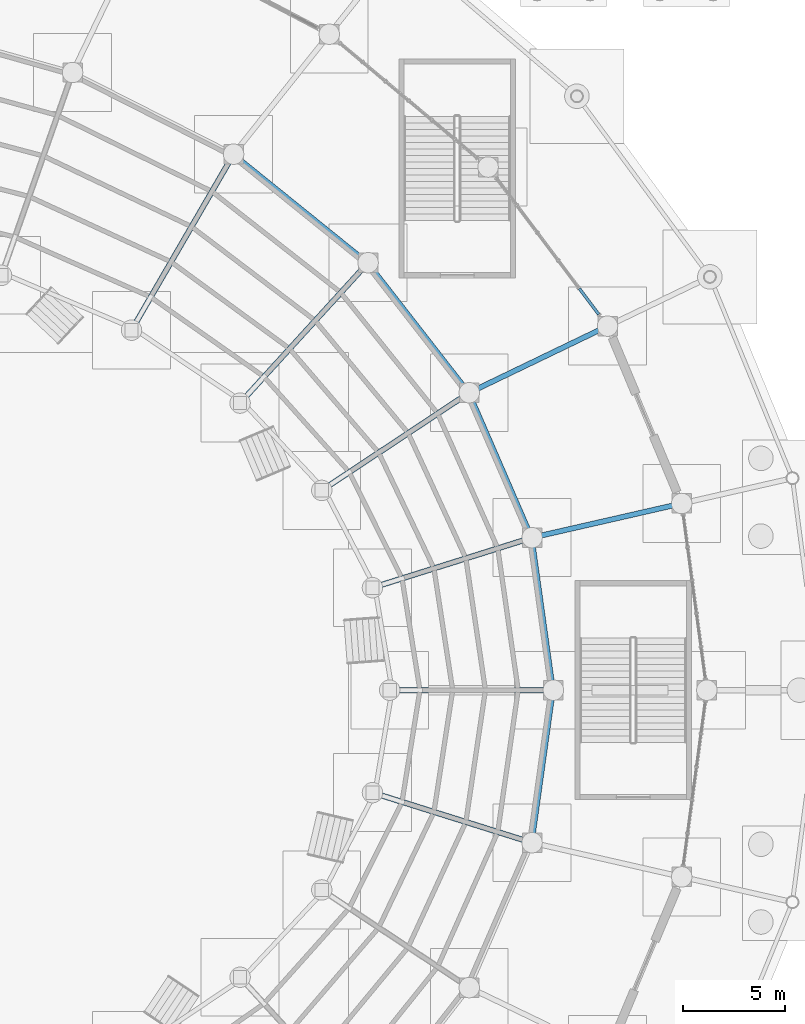
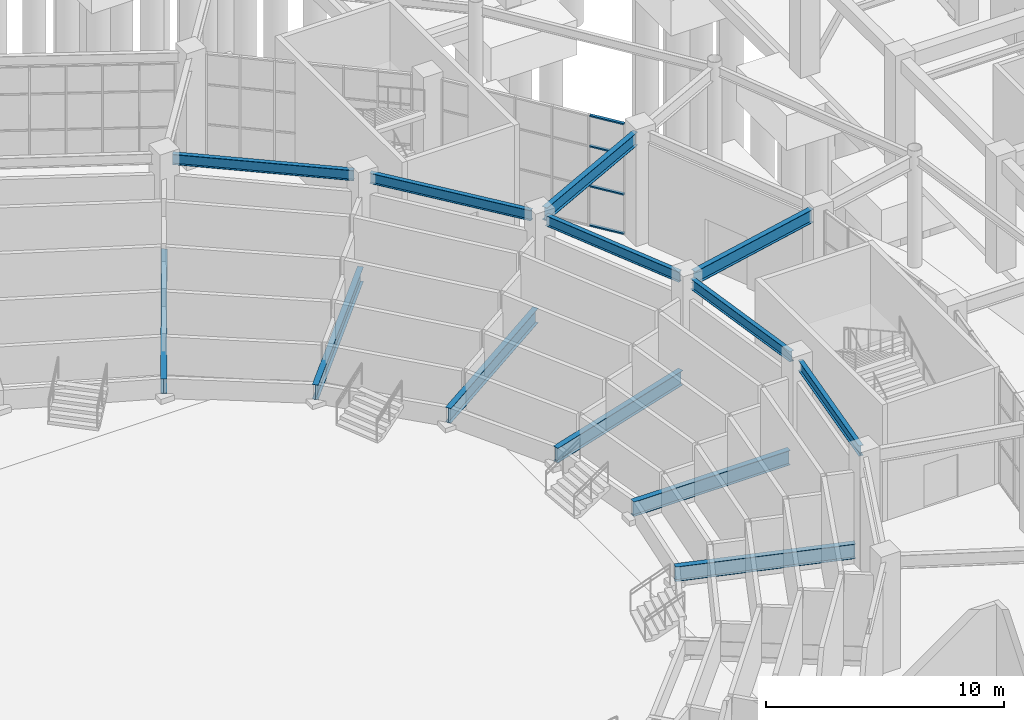
# One storey, part 45 of 121: 13 beams, 4 members, 1 element without a shape of its own.
"""IFC4 building model written with IfcOpenShell, lengths in metres."""

from ifc_helpers import new_model, si_unit, direction, frame, origin, origin_2d, place, context, subcontext, project, spatial, rectangle, i_section, extrude, material, material_profile, profile_set, type_object, element, aggregate, save


model = new_model("IFC4")

# Units and contexts
model_context = context("Model", 3, precision=1e-05, world=origin(), true_north=direction((0.0, 1.0)))
body_context = subcontext(model_context, "Body", "Model", "MODEL_VIEW")
ifc_project = project(units=[si_unit("LENGTHUNIT", "METRE"), si_unit("AREAUNIT", "SQUARE_METRE"), si_unit("VOLUMEUNIT", "CUBIC_METRE"), si_unit("PLANEANGLEUNIT", "RADIAN"), si_unit("MASSUNIT", "GRAM", prefix="KILO")], contexts=[model_context])

# Site, building, storey
site_placement = place(None, origin())
site = spatial("IfcSite", under=ifc_project, at=site_placement, CompositionType="ELEMENT")
building_placement = place(site_placement, origin())
building = spatial("IfcBuilding", under=site, at=building_placement, Name="Cuetzalor Civic Arena", CompositionType="ELEMENT")
storey_placement = place(building_placement, origin())
storey = spatial("IfcBuildingStorey", under=building, at=storey_placement, Name="L00", CompositionType="ELEMENT", Elevation=0.0)

# Curtain wall, members
ifc_material_1 = material(Name="Anodised dark bronze aluminium and low-E solar glass", Category="aluminium")
curtain_wall_type = type_object("IfcCurtainWallType", Name="UnitisedCW_8450x5700", PredefinedType="USERDEFINED", material=ifc_material_1)
curtain_wall_placement = place(storey_placement, origin())
curtain_wall = element("IfcCurtainWall", 1, at=curtain_wall_placement, inside=storey, type_object=curtain_wall_type, Name="Drum Ground Recessed Concourse Curtain Wall L00-002", ObjectType="UNITISED CURTAIN WALL", PredefinedType="USERDEFINED")
ifc_material_2 = material(Name="Anodised dark bronze aluminium", Category="aluminium")
ifc_material_profile_1 = material_profile(ifc_material_2, rectangle(XDim=0.139892578125, YDim=0.070068359375, at=origin_2d()), Name="ALU TRANSOM 70x140")
ifc_profile_set_1 = profile_set([ifc_material_profile_1], Name="Anodised dark bronze aluminium")
member_type = type_object("IfcMemberType", Name="CurtainWallTransom_65x140", PredefinedType="USERDEFINED", material=ifc_profile_set_1)
member_1_placement = place(storey_placement, frame((42.767822265625, 19.62646484375, 0.034912109375), z_axis=(0.600518840652, -0.799610606496, 0.0), x_axis=(0.799610606496, 0.600518840652, 0.0)))
member_1 = element("IfcMember", 2, at=member_1_placement, type_object=member_type, Name="CW-02 transom 5.1", ObjectType="TRANSOM", PredefinedType="USERDEFINED", context=body_context, shape_type="SweptSolid", body=[
    extrude(rectangle(XDim=0.139892578125, YDim=0.070068359375, at=origin_2d()), origin(), (0.0, 0.0, 1.0), 1.58056640625),
])
member_2_placement = place(storey_placement, frame((42.767822265625, 19.62646484375, 2.052001953125), z_axis=(0.600518840652, -0.799610606496, 0.0), x_axis=(0.799610606496, 0.600518840652, 0.0)))
member_2 = element("IfcMember", 3, at=member_2_placement, type_object=member_type, Name="CW-02 transom 5.2", ObjectType="TRANSOM", PredefinedType="USERDEFINED", context=body_context, shape_type="SweptSolid", body=[
    extrude(rectangle(XDim=0.139892578125, YDim=0.070068359375, at=origin_2d()), origin(), (0.0, 0.0, 1.0), 1.58056640625),
])
member_3_placement = place(storey_placement, frame((42.767822265625, 19.62646484375, 4.10400390625), z_axis=(0.600518840652, -0.799610606496, 0.0), x_axis=(0.799610606496, 0.600518840652, 0.0)))
member_3 = element("IfcMember", 4, at=member_3_placement, type_object=member_type, Name="CW-02 transom 5.3", ObjectType="TRANSOM", PredefinedType="USERDEFINED", context=body_context, shape_type="SweptSolid", body=[
    extrude(rectangle(XDim=0.139892578125, YDim=0.070068359375, at=origin_2d()), origin(), (0.0, 0.0, 1.0), 1.58056640625),
])
member_4_placement = place(storey_placement, frame((42.767822265625, 19.62646484375, 5.6650390625), z_axis=(0.600518840652, -0.799610606496, 0.0), x_axis=(0.799610606496, 0.600518840652, 0.0)))
member_4 = element("IfcMember", 5, at=member_4_placement, type_object=member_type, Name="CW-02 transom 5.4", ObjectType="TRANSOM", PredefinedType="USERDEFINED", context=body_context, shape_type="SweptSolid", body=[
    extrude(rectangle(XDim=0.139892578125, YDim=0.070068359375, at=origin_2d()), origin(), (0.0, 0.0, 1.0), 1.58056640625),
])
aggregate(curtain_wall, [member_1, member_2, member_3, member_4])

# Beams
ifc_material_3 = material(Name="Steel S355", Category="steel")
ifc_material_profile_2 = material_profile(ifc_material_3, i_section(OverallWidth=0.264892578125, OverallDepth=0.7529296875, WebThickness=0.01318359375, FlangeThickness=0.01708984375, at=origin_2d()), Name="W760x147")
ifc_profile_set_2 = profile_set([ifc_material_profile_2], Name="Steel S355")
beam_type_1 = type_object("IfcBeamType", Name="LowerBowlRakerBeam_W760", PredefinedType="USERDEFINED", material=ifc_profile_set_2)
beam_1_placement = place(storey_placement, frame((33.5, 0.0, 0.6435546875), z_axis=(1.0, 0.0, 0.0), x_axis=(0.0, 1.0, 0.0)))
element("IfcBeam", 6, at=beam_1_placement, inside=storey, type_object=beam_type_1, Name="Lower Bowl Raker Beam R01", ObjectType="RAKER", PredefinedType="USERDEFINED", context=body_context, shape_type="SweptSolid", body=[
    extrude(i_section(OverallWidth=0.264892578125, OverallDepth=0.7529296875, WebThickness=0.01318359375, FlangeThickness=0.01708984375, at=origin_2d()), origin(), (0.0, 0.0, 1.0), 7.60009765625),
])
beam_2_placement = place(storey_placement, frame((32.66015625, 5.006591796875, 0.6435546875), z_axis=(0.954109900706, 0.29945667028, 0.0), x_axis=(-0.29945667028, 0.954109900706, 0.0)))
element("IfcBeam", 7, at=beam_2_placement, inside=storey, type_object=beam_type_1, Name="Lower Bowl Raker Beam R02", ObjectType="RAKER", PredefinedType="USERDEFINED", context=body_context, shape_type="SweptSolid", body=[
    extrude(i_section(OverallWidth=0.264892578125, OverallDepth=0.7529296875, WebThickness=0.01318359375, FlangeThickness=0.01708984375, at=origin_2d()), origin(), (0.0, 0.0, 1.0), 7.7744140625),
])
beam_3_placement = place(storey_placement, frame((30.1826171875, 9.762451171875, 0.6435546875), z_axis=(0.833777450738, 0.552100681615, 0.0), x_axis=(-0.552100681615, 0.833777450738, 0.0)))
element("IfcBeam", 8, at=beam_3_placement, inside=storey, type_object=beam_type_1, Name="Lower Bowl Raker Beam R03", ObjectType="RAKER", PredefinedType="USERDEFINED", context=body_context, shape_type="SweptSolid", body=[
    extrude(i_section(OverallWidth=0.264892578125, OverallDepth=0.7529296875, WebThickness=0.01318359375, FlangeThickness=0.01708984375, at=origin_2d()), origin(), (0.0, 0.0, 1.0), 8.244384765625),
])
beam_4_placement = place(storey_placement, frame((26.19140625, 14.028564453125, 0.6435546875), z_axis=(0.673841701985, 0.738875741018, 0.0), x_axis=(-0.738875741018, 0.673841701985, 0.0)))
element("IfcBeam", 9, at=beam_4_placement, inside=storey, type_object=beam_type_1, Name="Lower Bowl Raker Beam R04", ObjectType="RAKER", PredefinedType="USERDEFINED", context=body_context, shape_type="SweptSolid", body=[
    extrude(i_section(OverallWidth=0.264892578125, OverallDepth=0.7529296875, WebThickness=0.01318359375, FlangeThickness=0.01708984375, at=origin_2d()), origin(), (0.0, 0.0, 1.0), 8.882080078125),
])
beam_5_placement = place(storey_placement, frame((20.886962890625, 17.59130859375, 0.6435546875), z_axis=(0.501694731914, 0.865044736398, 0.0), x_axis=(-0.865044736398, 0.501694731914, 0.0)))
element("IfcBeam", 10, at=beam_5_placement, inside=storey, type_object=beam_type_1, Name="Lower Bowl Raker Beam R05", ObjectType="RAKER", PredefinedType="USERDEFINED", context=body_context, shape_type="SweptSolid", body=[
    extrude(i_section(OverallWidth=0.264892578125, OverallDepth=0.7529296875, WebThickness=0.01318359375, FlangeThickness=0.01708984375, at=origin_2d()), origin(), (0.0, 0.0, 1.0), 9.5419921875),
])
beam_6_placement = place(storey_placement, frame((32.66015625, -5.006591796875, 0.6435546875), z_axis=(0.954109900706, -0.29945667028, 0.0), x_axis=(0.29945667028, 0.954109900706, 0.0)))
element("IfcBeam", 11, at=beam_6_placement, inside=storey, type_object=beam_type_1, Name="Lower Bowl Raker Beam R28", ObjectType="RAKER", PredefinedType="USERDEFINED", context=body_context, shape_type="SweptSolid", body=[
    extrude(i_section(OverallWidth=0.264892578125, OverallDepth=0.7529296875, WebThickness=0.01318359375, FlangeThickness=0.01708984375, at=origin_2d()), origin(), (0.0, 0.0, 1.0), 7.7744140625),
])
ifc_material_4 = material(Name="Steel S355", Category="steel")
ifc_material_profile_3 = material_profile(ifc_material_4, i_section(OverallWidth=0.208984375, OverallDepth=0.532958984375, WebThickness=0.01025390625, FlangeThickness=0.015625, at=origin_2d()), Name="W530x92")
ifc_profile_set_3 = profile_set([ifc_material_profile_3], Name="Steel S355")
beam_type_2 = type_object("IfcBeamType", Name="SteelCollarGirder_W530", PredefinedType="BEAM", material=ifc_profile_set_3)
beam_7_placement = place(storey_placement, frame((41.4501953125, 0.3564453125, 5.43359375), z_axis=(-0.138232032173, 0.990399871406, 0.0), x_axis=(-0.990399871406, -0.138232032173, 0.0)))
element("IfcBeam", 12, at=beam_7_placement, inside=storey, type_object=beam_type_2, Name="Bowl Inner Ring Girder L00-S01", PredefinedType="BEAM", context=body_context, shape_type="SweptSolid", body=[
    extrude(i_section(OverallWidth=0.208984375, OverallDepth=0.532958984375, WebThickness=0.01025390625, FlangeThickness=0.015625, at=origin_2d()), origin(), (0.0, 0.0, 1.0), 6.806884765625),
])
beam_8_placement = place(storey_placement, frame((40.31640625, 7.784912109375, 5.43359375), z_axis=(-0.39772689401, 0.917503851644, 0.0), x_axis=(-0.917503851644, -0.39772689401, 0.0)))
element("IfcBeam", 13, at=beam_8_placement, inside=storey, type_object=beam_type_2, Name="Bowl Inner Ring Girder L00-S02", PredefinedType="BEAM", context=body_context, shape_type="SweptSolid", body=[
    extrude(i_section(OverallWidth=0.208984375, OverallDepth=0.532958984375, WebThickness=0.01025390625, FlangeThickness=0.015625, at=origin_2d()), origin(), (0.0, 0.0, 1.0), 6.9970703125),
])
beam_9_placement = place(storey_placement, frame((37.169189453125, 14.819091796875, 5.43359375), z_axis=(-0.614261103096, 0.789102843249, 0.0), x_axis=(-0.789102843249, -0.614261103096, 0.0)))
element("IfcBeam", 14, at=beam_9_placement, inside=storey, type_object=beam_type_2, Name="Bowl Inner Ring Girder L00-S03", PredefinedType="BEAM", context=body_context, shape_type="SweptSolid", body=[
    extrude(i_section(OverallWidth=0.208984375, OverallDepth=0.532958984375, WebThickness=0.01025390625, FlangeThickness=0.015625, at=origin_2d()), origin(), (0.0, 0.0, 1.0), 7.329345703125),
])
beam_10_placement = place(storey_placement, frame((32.166015625, 21.113037109375, 5.43359375), z_axis=(-0.77812651983, 0.628107569719, 0.0), x_axis=(-0.628107569719, -0.77812651983, 0.0)))
element("IfcBeam", 15, at=beam_10_placement, inside=storey, type_object=beam_type_2, Name="Bowl Inner Ring Girder L00-S04", PredefinedType="BEAM", context=body_context, shape_type="SweptSolid", body=[
    extrude(i_section(OverallWidth=0.208984375, OverallDepth=0.532958984375, WebThickness=0.01025390625, FlangeThickness=0.015625, at=origin_2d()), origin(), (0.0, 0.0, 1.0), 7.725341796875),
])
beam_11_placement = place(storey_placement, frame((40.50927734375, -7.097900390625, 5.43359375), z_axis=(0.138232032173, 0.990399871406, 0.0), x_axis=(-0.990399871406, 0.138232032173, 0.0)))
element("IfcBeam", 16, at=beam_11_placement, inside=storey, type_object=beam_type_2, Name="Bowl Inner Ring Girder L00-S28", PredefinedType="BEAM", context=body_context, shape_type="SweptSolid", body=[
    extrude(i_section(OverallWidth=0.208984375, OverallDepth=0.532958984375, WebThickness=0.01025390625, FlangeThickness=0.015625, at=origin_2d()), origin(), (0.0, 0.0, 1.0), 6.806884765625),
])
ifc_material_5 = material(Name="Steel S355", Category="steel")
ifc_material_profile_4 = material_profile(ifc_material_5, i_section(OverallWidth=0.2529296875, OverallDepth=0.677978515625, WebThickness=0.01171875, FlangeThickness=0.016357421875, at=origin_2d()), Name="W690x125")
ifc_profile_set_4 = profile_set([ifc_material_profile_4], Name="Steel S355")
beam_type_3 = type_object("IfcBeamType", Name="SteelPrimaryGirder_W690", PredefinedType="BEAM", material=ifc_profile_set_4)
beam_12_placement = place(storey_placement, frame((40.810546875, 7.53466796875, 5.361083984375), z_axis=(0.974931535482, 0.222505058645, 0.0), x_axis=(-0.222505058645, 0.974931535482, 0.0)))
element("IfcBeam", 17, at=beam_12_placement, inside=storey, type_object=beam_type_3, Name="Drum Inner Radial Girder L00-R02", PredefinedType="BEAM", context=body_context, shape_type="SweptSolid", body=[
    extrude(i_section(OverallWidth=0.2529296875, OverallDepth=0.677978515625, WebThickness=0.01171875, FlangeThickness=0.016357421875, at=origin_2d()), origin(), (0.0, 0.0, 1.0), 6.77978515625),
])
beam_13_placement = place(storey_placement, frame((37.714599609375, 14.69140625, 5.361083984375), z_axis=(0.900975603874, 0.433869751452, 0.0), x_axis=(-0.433869751452, 0.900975603874, 0.0)))
element("IfcBeam", 18, at=beam_13_placement, inside=storey, type_object=beam_type_3, Name="Drum Inner Radial Girder L00-R03", PredefinedType="BEAM", context=body_context, shape_type="SweptSolid", body=[
    extrude(i_section(OverallWidth=0.2529296875, OverallDepth=0.677978515625, WebThickness=0.01171875, FlangeThickness=0.016357421875, at=origin_2d()), origin(), (0.0, 0.0, 1.0), 6.780029296875),
])

save(model, "model.ifc")
